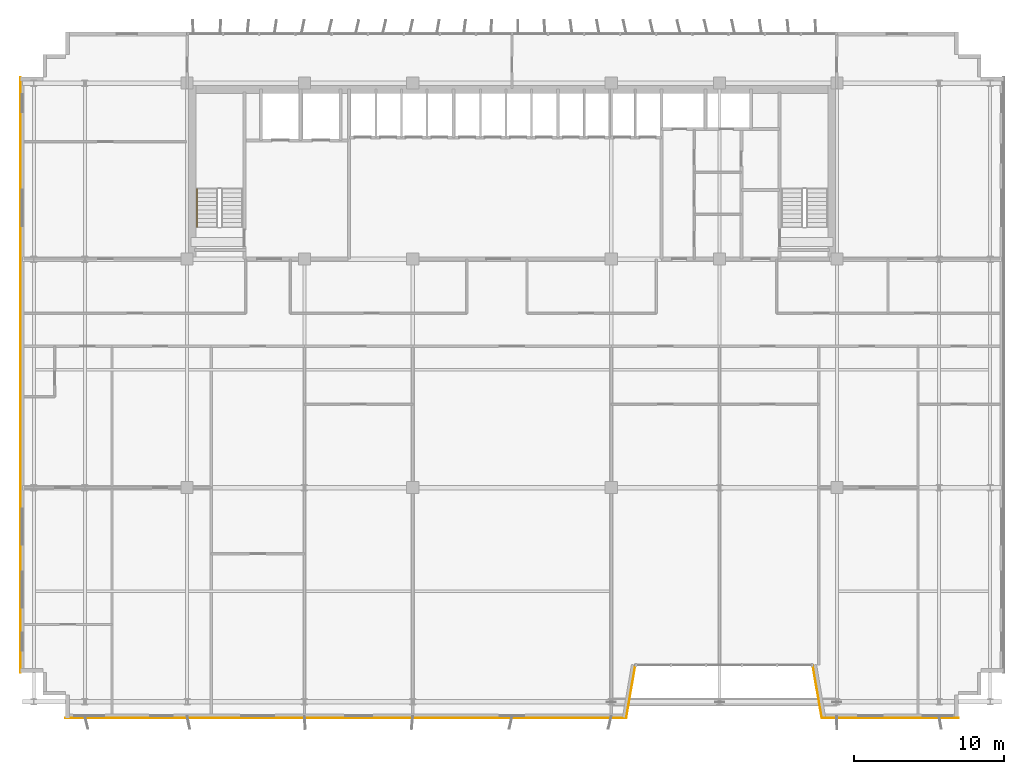
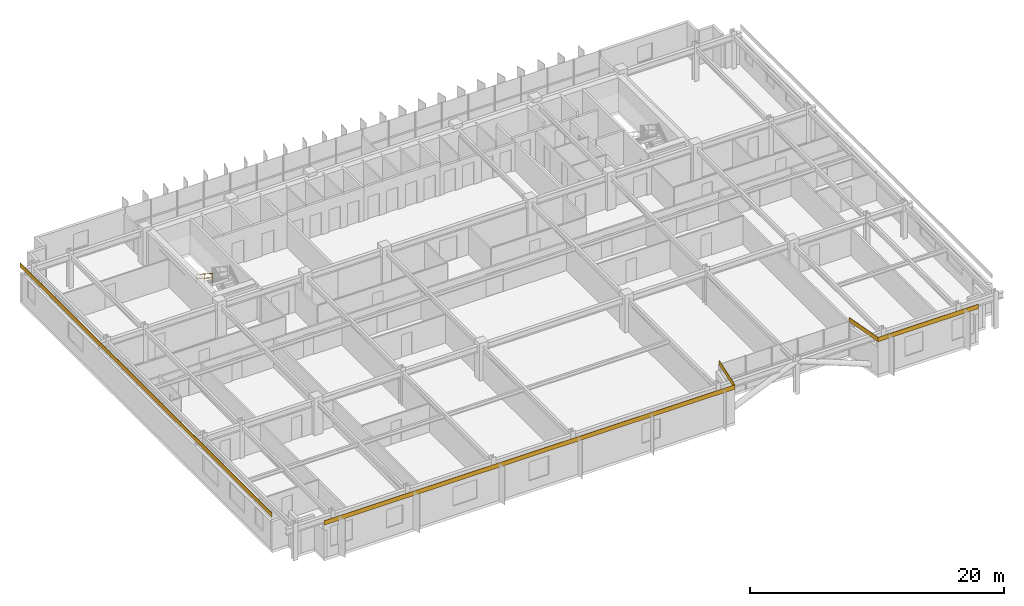
# One storey, part 24 of 26: 5 coverings, 1 railing.
"""IFC4 building model written with IfcOpenShell, lengths in metres."""

from ifc_helpers import new_model, si_unit, direction, frame, origin, origin_2d, place, context, subcontext, project, spatial, rectangle, extrude, source, transform, mapped, material, layer, layer_set, type_object, element, save


model = new_model("IFC4")

# Units and contexts
model_context = context("Model", 3, precision=1e-05, world=origin(), true_north=direction((0.0, 1.0)))
body_context = subcontext(model_context, "Body", "Model", "MODEL_VIEW")
ifc_project = project(units=[si_unit("LENGTHUNIT", "METRE"), si_unit("AREAUNIT", "SQUARE_METRE"), si_unit("VOLUMEUNIT", "CUBIC_METRE"), si_unit("PLANEANGLEUNIT", "RADIAN"), si_unit("MASSUNIT", "GRAM", prefix="KILO")], contexts=[model_context])

# Site, building, storey
site_placement = place(None, origin())
site = spatial("IfcSite", under=ifc_project, at=site_placement, CompositionType="ELEMENT")
building_placement = place(site_placement, origin())
building = spatial("IfcBuilding", under=site, at=building_placement, Name="Trelvane Seafront Commons", CompositionType="ELEMENT")
storey_placement = place(building_placement, frame((0.0, 0.0, 128.5)))
storey = spatial("IfcBuildingStorey", under=building, at=storey_placement, Name="L33", CompositionType="ELEMENT", Elevation=128.5)

# Railing
ifc_material_1 = material(Name="Stainless steel balustrade", Category="steel")
railing_type = type_object("IfcRailingType", Name="ARCH-SRL-HAND", PredefinedType="HANDRAIL", material=ifc_material_1)
railing_placement = place(storey_placement, frame((16.25, 38.070068359375, 1.97998046875)))
element("IfcRailing", 1, at=railing_placement, inside=storey, type_object=railing_type, Name="L33 ST-1 stair handrail 2", PredefinedType="HANDRAIL", context=body_context, shape_type="SweptSolid", body=[
    extrude(rectangle(XDim=0.048095703125, YDim=0.048095703125, at=origin_2d()), frame((0.0, 0.0, 0.8759765625), z_axis=(0.0, -0.841162588446, 0.540782303519), x_axis=(1.0, 0.0, 0.0)), (0.0, 0.0, 1.0), 2.995849609375),
    extrude(rectangle(XDim=0.048095703125, YDim=0.048095703125, at=origin_2d()), frame((0.0, 0.0, 0.468017578125), z_axis=(0.0, -0.841162588446, 0.540782303519), x_axis=(1.0, 0.0, 0.0)), (0.0, 0.0, 1.0), 2.995849609375),
    extrude(rectangle(XDim=0.0419921875, YDim=0.0419921875, at=origin_2d()), origin(), (0.0, 0.0, 1.0), 0.8759765625),
    extrude(rectangle(XDim=0.0419921875, YDim=0.0419921875, at=origin_2d()), frame((0.0, -1.260009765625, 0.81005859375)), (0.0, 0.0, 1.0), 0.8759765625),
    extrude(rectangle(XDim=0.0419921875, YDim=0.0419921875, at=origin_2d()), frame((0.0, -2.52001953125, 1.6201171875)), (0.0, 0.0, 1.0), 0.8759765625),
])

# Coverings
ifc_material_2 = material(Name="Anodised pale-silver aluminium", Category="aluminium")
ifc_layer = layer(ifc_material_2, 0.034912109375, Name="ARCH-COV-CLAD35")
ifc_layer_set = layer_set([ifc_layer], Name="Anodised pale-silver aluminium")
covering_type = type_object("IfcCoveringType", Name="ARCH-COV-CLAD35", PredefinedType="CLADDING", material=ifc_layer_set)
shared_shape_1 = source(origin(), body_context, "Body", "SweptSolid", [
    extrude(rectangle(XDim=39.60009765625, YDim=0.034912109375, at=origin_2d()), origin(), (0.0, 0.0, 1.0), 0.419921875),
])
covering_1_placement = place(storey_placement, frame((4.5, 25.699951171875, 3.179931640625), z_axis=(0.0, 0.0, 1.0), x_axis=(0.0, 1.0, 0.0)))
element("IfcCovering", 2, at=covering_1_placement, inside=storey, type_object=covering_type, Name="CLD-L33-00137", PredefinedType="CLADDING", context=body_context, shape_type="MappedRepresentation", body=[
    mapped(shared_shape_1, transform((0.0, 0.0, 0.0), x_axis=(1.0, 0.0, 0.0), y_axis=(0.0, 1.0, 0.0), z_axis=(0.0, 0.0, 1.0), scale=1.0)),
])
shared_shape_2 = source(origin(), body_context, "Body", "SweptSolid", [
    extrude(rectangle(XDim=37.300048828125, YDim=0.034912109375, at=origin_2d()), origin(), (0.0, 0.0, 1.0), 0.419921875),
])
covering_2_placement = place(storey_placement, frame((26.14990234375, 2.89990234375, 3.179931640625), z_axis=(0.0, 0.0, 1.0), x_axis=(-1.0, 0.0, 0.0)))
element("IfcCovering", 3, at=covering_2_placement, inside=storey, type_object=covering_type, Name="CLD-L33-00142", PredefinedType="CLADDING", context=body_context, shape_type="MappedRepresentation", body=[
    mapped(shared_shape_2, transform((0.0, 0.0, 0.0), x_axis=(1.0, 0.0, 0.0), y_axis=(0.0, 1.0, 0.0), z_axis=(0.0, 0.0, 1.0), scale=1.0)),
])
shared_shape_3 = source(origin(), body_context, "Body", "SweptSolid", [
    extrude(rectangle(XDim=3.551025390625, YDim=0.034912109375, at=origin_2d()), origin(), (0.0, 0.0, 1.0), 0.419921875),
])
for number, where, z_axis, x_axis, name in (
    (4, (57.5, 4.64990234375, 3.179931640625), (0.0, 0.0, 1.0), (-0.168964184077, 0.985622191562, 0.0), "CLD-L33-00140"),
    (5, (45.10009765625, 4.64990234375, 3.179931640625), (0.0, 0.0, 1.0), (-0.168964184077, -0.985622191562, 0.0), "CLD-L33-00141"),
):
    element("IfcCovering", number, at=place(storey_placement, frame(where, z_axis=z_axis, x_axis=x_axis)), inside=storey, type_object=covering_type, Name=name, PredefinedType="CLADDING", context=body_context, shape_type="MappedRepresentation", body=[
        mapped(shared_shape_3, transform((0.0, 0.0, 0.0), x_axis=(1.0, 0.0, 0.0), y_axis=(0.0, 1.0, 0.0), z_axis=(0.0, 0.0, 1.0), scale=1.0)),
    ])
shared_shape_4 = source(origin(), body_context, "Body", "SweptSolid", [
    extrude(rectangle(XDim=9.10009765625, YDim=0.034912109375, at=origin_2d()), origin(), (0.0, 0.0, 1.0), 0.419921875),
])
covering_3_placement = place(storey_placement, frame((62.35009765625, 2.89990234375, 3.179931640625), z_axis=(0.0, 0.0, 1.0), x_axis=(-1.0, 0.0, 0.0)))
element("IfcCovering", 6, at=covering_3_placement, inside=storey, type_object=covering_type, Name="CLD-L33-00139", PredefinedType="CLADDING", context=body_context, shape_type="MappedRepresentation", body=[
    mapped(shared_shape_4, transform((0.0, 0.0, 0.0), x_axis=(1.0, 0.0, 0.0), y_axis=(0.0, 1.0, 0.0), z_axis=(0.0, 0.0, 1.0), scale=1.0)),
])

save(model, "model.ifc")
